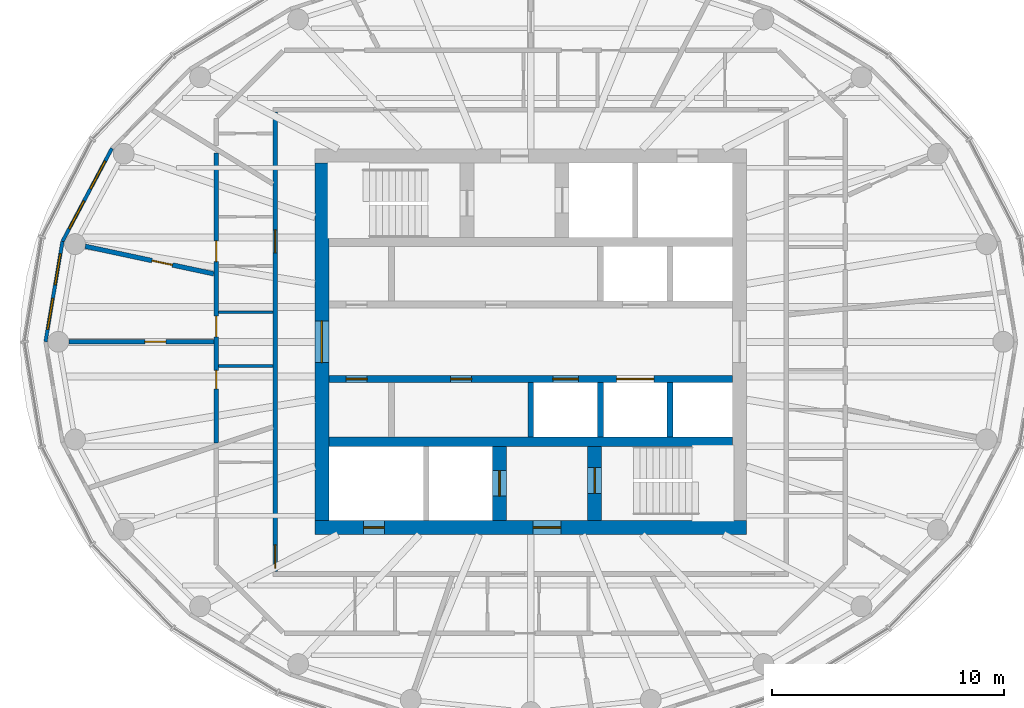
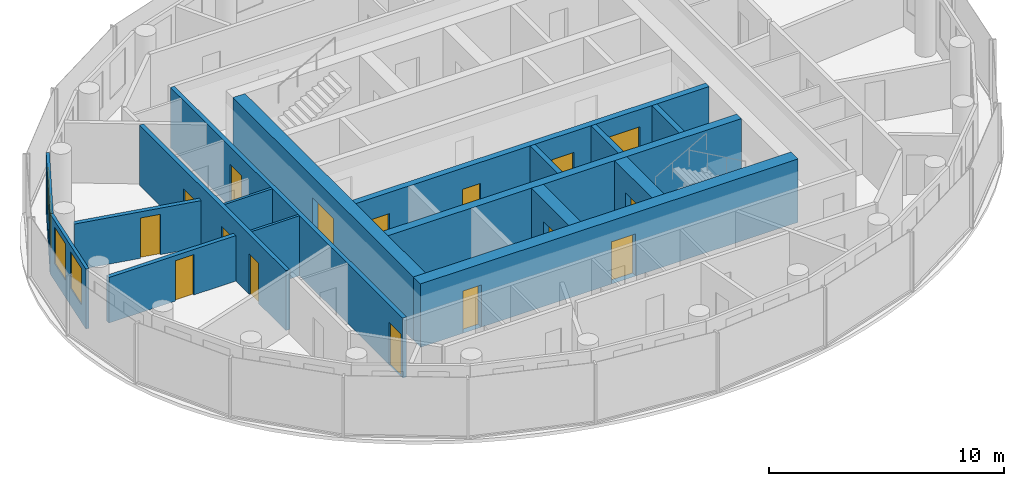
# One storey, part 6 of 11: 17 walls, 16 doors, 4 windows, 20 openings.
"""IFC4 building model written with IfcOpenShell, lengths in metres."""

from ifc_helpers import new_model, si_unit, direction, frame, frame_2d, origin, place, context, subcontext, project, spatial, rectangle, extrude, material, layer, layer_set, type_object, element, fill, save


model = new_model("IFC4")

# Units and contexts
model_context = context("Model", 3, precision=1e-05, world=origin(), true_north=direction((0.0, 1.0)))
body_context = subcontext(model_context, "Body", "Model", "MODEL_VIEW")
ifc_project = project(units=[si_unit("LENGTHUNIT", "METRE"), si_unit("AREAUNIT", "SQUARE_METRE"), si_unit("VOLUMEUNIT", "CUBIC_METRE"), si_unit("PLANEANGLEUNIT", "RADIAN"), si_unit("MASSUNIT", "GRAM", prefix="KILO")], contexts=[model_context])

# Site, building, storey
site_placement = place(None, origin())
site = spatial("IfcSite", under=ifc_project, at=site_placement, CompositionType="ELEMENT")
building_placement = place(site_placement, origin())
building = spatial("IfcBuilding", under=site, at=building_placement, Name="Hankou Lantern Tower", CompositionType="ELEMENT")
storey_placement = place(building_placement, frame((0.0, 0.0, 209.39990234375)))
storey = spatial("IfcBuildingStorey", under=building, at=storey_placement, Name="L56", CompositionType="ELEMENT", Elevation=209.39990234375)

# Wall, openings, doors
ifc_material_1 = material(Name="Concrete C60", Category="concrete")
ifc_layer_1 = layer(ifc_material_1, 0.60009765625)
ifc_layer_set_1 = layer_set([ifc_layer_1], Name="Concrete C60")
wall_type_1 = type_object("IfcWallType", Name="CW3 CORE WALL 600", PredefinedType="SHEAR", material=ifc_layer_set_1)
wall_1_placement = place(storey_placement, frame((9.300048828125, -8.0, 0.0), z_axis=(0.0, 0.0, 1.0), x_axis=(-1.0, 0.0, 0.0)))
wall_1 = element("IfcWall", 1, at=wall_1_placement, inside=storey, type_object=wall_type_1, Name="Core wall south L56", PredefinedType="SHEAR", context=body_context, shape_type="SweptSolid", body=[
    extrude(rectangle(XDim=18.60009765625, YDim=0.60009765625, at=frame_2d((9.300048828125, 0.0))), origin(), (0.0, 0.0, 1.0), 3.300048828125),
])
opening_1_placement = place(wall_1_placement, frame((8.0, 0.0, 0.0)))
opening_1 = element("IfcOpeningElement", 2, at=opening_1_placement, cuts=wall_1, Name="Opening D5", PredefinedType="OPENING", context=body_context, shape_type="SweptSolid", body=[
    extrude(rectangle(XDim=1.199951171875, YDim=2.199951171875, at=frame_2d((0.60009765625, 1.10009765625))), frame((0.0, 0.31005859375, 0.0), z_axis=(0.0, -1.0, 0.0), x_axis=(1.0, 0.0, 0.0)), (0.0, 0.0, 1.0), 0.6201171875),
])
opening_2_placement = place(wall_1_placement, frame((15.60009765625, 0.0, 0.0)))
opening_2 = element("IfcOpeningElement", 3, at=opening_2_placement, cuts=wall_1, Name="Opening D7", PredefinedType="OPENING", context=body_context, shape_type="SweptSolid", body=[
    extrude(rectangle(XDim=0.89990234375, YDim=2.199951171875, at=frame_2d((0.449951171875, 1.10009765625))), frame((0.0, 0.31005859375, 0.0), z_axis=(0.0, -1.0, 0.0), x_axis=(1.0, 0.0, 0.0)), (0.0, 0.0, 1.0), 0.6201171875),
])
ifc_material_2 = material(Name="Steel door leaf", Category="steel")
door_type_1 = type_object("IfcDoorType", Name="D5 STAIR LOBBY DOOR 1200X2200", OperationType="SINGLE_SWING_LEFT", PredefinedType="DOOR", material=ifc_material_2)
door_1_placement = place(opening_1_placement, origin())
door_1 = element("IfcDoor", 4, at=door_1_placement, inside=storey, type_object=door_type_1, Name="Stair B lobby door", OperationType="SINGLE_SWING_LEFT", OverallHeight=2.199951171875, OverallWidth=1.199951171875, PredefinedType="DOOR", context=body_context, shape_type="SweptSolid", body=[
    extrude(rectangle(XDim=1.199951171875, YDim=2.199951171875, at=frame_2d((0.60009765625, 1.10009765625))), frame((0.0, 0.02490234375, 0.0), z_axis=(0.0, -1.0, 0.0), x_axis=(1.0, 0.0, 0.0)), (0.0, 0.0, 1.0), 0.050048828125),
])
fill(opening_1, door_1)
ifc_material_3 = material(Name="Steel door leaf", Category="steel")
door_type_2 = type_object("IfcDoorType", Name="D7 RISER DOOR 900X2200", OperationType="SINGLE_SWING_LEFT", PredefinedType="DOOR", material=ifc_material_3)
door_2_placement = place(opening_2_placement, origin())
door_2 = element("IfcDoor", 5, at=door_2_placement, inside=storey, type_object=door_type_2, Name="Riser S1 door", OperationType="SINGLE_SWING_RIGHT", OverallHeight=2.199951171875, OverallWidth=0.89990234375, PredefinedType="DOOR", context=body_context, shape_type="SweptSolid", body=[
    extrude(rectangle(XDim=0.89990234375, YDim=2.199951171875, at=frame_2d((0.449951171875, 1.10009765625))), frame((0.0, 0.02490234375, 0.0), z_axis=(0.0, -1.0, 0.0), x_axis=(1.0, 0.0, 0.0)), (0.0, 0.0, 1.0), 0.050048828125),
])
fill(opening_2, door_2)

# Wall, opening, door
wall_2_placement = place(storey_placement, frame((-9.0, 7.699951171875, 0.0), z_axis=(0.0, 0.0, 1.0), x_axis=(0.0, -1.0, 0.0)))
wall_2 = element("IfcWall", 6, at=wall_2_placement, inside=storey, type_object=wall_type_1, Name="Core wall west L56", PredefinedType="SHEAR", context=body_context, shape_type="SweptSolid", body=[
    extrude(rectangle(XDim=15.39990234375, YDim=0.60009765625, at=frame_2d((7.699951171875, 0.0))), origin(), (0.0, 0.0, 1.0), 3.300048828125),
])
opening_3_placement = place(wall_2_placement, frame((6.800048828125, 0.0, 0.0)))
opening_3 = element("IfcOpeningElement", 7, at=opening_3_placement, cuts=wall_2, Name="Opening D6", PredefinedType="OPENING", context=body_context, shape_type="SweptSolid", body=[
    extrude(rectangle(XDim=1.800048828125, YDim=2.199951171875, at=frame_2d((0.89990234375, 1.10009765625))), frame((0.0, 0.31005859375, 0.0), z_axis=(0.0, -1.0, 0.0), x_axis=(1.0, 0.0, 0.0)), (0.0, 0.0, 1.0), 0.6201171875),
])
ifc_material_4 = material(Name="Steel door leaf", Category="steel")
door_type_3 = type_object("IfcDoorType", Name="D6 LIFT LOBBY DOOR 1800X2200", OperationType="DOUBLE_DOOR_DOUBLE_SWING", PredefinedType="DOOR", material=ifc_material_4)
door_3_placement = place(opening_3_placement, origin())
door_3 = element("IfcDoor", 8, at=door_3_placement, inside=storey, type_object=door_type_3, Name="Lift lobby west door", OperationType="DOUBLE_DOOR_DOUBLE_SWING", OverallHeight=2.199951171875, OverallWidth=1.800048828125, PredefinedType="DOOR", context=body_context, shape_type="SweptSolid", body=[
    extrude(rectangle(XDim=1.800048828125, YDim=2.199951171875, at=frame_2d((0.89990234375, 1.10009765625))), frame((0.0, 0.02490234375, 0.0), z_axis=(0.0, -1.0, 0.0), x_axis=(1.0, 0.0, 0.0)), (0.0, 0.0, 1.0), 0.050048828125),
])
fill(opening_3, door_3)

# Wall
ifc_material_5 = material(Name="Concrete C60", Category="concrete")
ifc_layer_2 = layer(ifc_material_5, 0.39990234375)
ifc_layer_set_2 = layer_set([ifc_layer_2], Name="Concrete C60")
wall_type_2 = type_object("IfcWallType", Name="CW4 CORE CROSS WALL 400", PredefinedType="SHEAR", material=ifc_layer_set_2)
wall_3_placement = place(storey_placement, frame((-8.699951171875, -4.300048828125, 0.0), z_axis=(0.0, 0.0, 1.0), x_axis=(1.0, 0.0, 0.0)))
element("IfcWall", 9, at=wall_3_placement, inside=storey, type_object=wall_type_2, Name="Core band wall south L56", PredefinedType="SHEAR", context=body_context, shape_type="SweptSolid", body=[
    extrude(rectangle(XDim=17.39990234375, YDim=0.39990234375, at=frame_2d((8.699951171875, 0.0))), origin(), (0.0, 0.0, 1.0), 3.300048828125),
])

# Wall, openings, doors
ifc_material_6 = material(Name="Concrete C60", Category="concrete")
ifc_layer_3 = layer(ifc_material_6, 0.300048828125)
ifc_layer_set_3 = layer_set([ifc_layer_3], Name="Concrete C60")
wall_type_3 = type_object("IfcWallType", Name="CW5 LIFT LOBBY WALL 300", PredefinedType="SHEAR", material=ifc_layer_set_3)
wall_4_placement = place(storey_placement, frame((-8.699951171875, -1.60009765625, 0.0), z_axis=(0.0, 0.0, 1.0), x_axis=(1.0, 0.0, 0.0)))
wall_4 = element("IfcWall", 10, at=wall_4_placement, inside=storey, type_object=wall_type_3, Name="Lift lobby wall south L56", PredefinedType="SHEAR", context=body_context, shape_type="SweptSolid", body=[
    extrude(rectangle(XDim=17.39990234375, YDim=0.300048828125, at=frame_2d((8.699951171875, 0.0))), origin(), (0.0, 0.0, 1.0), 3.300048828125),
])
opening_4_placement = place(wall_4_placement, frame((9.64990234375, 0.0, 0.0)))
opening_4 = element("IfcOpeningElement", 11, at=opening_4_placement, cuts=wall_4, Name="Opening LD1", PredefinedType="OPENING", context=body_context, shape_type="SweptSolid", body=[
    extrude(rectangle(XDim=1.10009765625, YDim=2.199951171875, at=frame_2d((0.550048828125, 1.10009765625))), frame((0.0, 0.159912109375, 0.0), z_axis=(0.0, -1.0, 0.0), x_axis=(1.0, 0.0, 0.0)), (0.0, 0.0, 1.0), 0.320068359375),
])
opening_5_placement = place(wall_4_placement, frame((12.39990234375, 0.0, 0.0)))
opening_5 = element("IfcOpeningElement", 12, at=opening_5_placement, cuts=wall_4, Name="Opening LD4", PredefinedType="OPENING", context=body_context, shape_type="SweptSolid", body=[
    extrude(rectangle(XDim=1.60009765625, YDim=2.39990234375, at=frame_2d((0.800048828125, 1.199951171875))), frame((0.0, 0.159912109375, 0.0), z_axis=(0.0, -1.0, 0.0), x_axis=(1.0, 0.0, 0.0)), (0.0, 0.0, 1.0), 0.320068359375),
])
opening_6_placement = place(wall_4_placement, frame((0.75, 0.0, 0.0)))
opening_6 = element("IfcOpeningElement", 13, at=opening_6_placement, cuts=wall_4, Name="Opening D30", PredefinedType="OPENING", context=body_context, shape_type="SweptSolid", body=[
    extrude(rectangle(XDim=0.89990234375, YDim=2.199951171875, at=frame_2d((0.449951171875, 1.10009765625))), frame((0.0, 0.159912109375, 0.0), z_axis=(0.0, -1.0, 0.0), x_axis=(1.0, 0.0, 0.0)), (0.0, 0.0, 1.0), 0.320068359375),
])
opening_7_placement = place(wall_4_placement, frame((5.25, 0.0, 0.0)))
opening_7 = element("IfcOpeningElement", 14, at=opening_7_placement, cuts=wall_4, Name="Opening D30", PredefinedType="OPENING", context=body_context, shape_type="SweptSolid", body=[
    extrude(rectangle(XDim=0.89990234375, YDim=2.199951171875, at=frame_2d((0.449951171875, 1.10009765625))), frame((0.0, 0.159912109375, 0.0), z_axis=(0.0, -1.0, 0.0), x_axis=(1.0, 0.0, 0.0)), (0.0, 0.0, 1.0), 0.320068359375),
])
ifc_material_7 = material(Name="Steel door leaf", Category="steel")
door_type_4 = type_object("IfcDoorType", Name="D30 CORE ROOM DOOR 900X2200", OperationType="SINGLE_SWING_LEFT", PredefinedType="DOOR", material=ifc_material_7)
door_4_placement = place(opening_6_placement, origin())
door_4 = element("IfcDoor", 15, at=door_4_placement, inside=storey, type_object=door_type_4, Name="Minibar store door", OperationType="SINGLE_SWING_LEFT", OverallHeight=2.199951171875, OverallWidth=0.89990234375, PredefinedType="DOOR", context=body_context, shape_type="SweptSolid", body=[
    extrude(rectangle(XDim=0.89990234375, YDim=2.199951171875, at=frame_2d((0.449951171875, 1.10009765625))), frame((0.0, 0.02490234375, 0.0), z_axis=(0.0, -1.0, 0.0), x_axis=(1.0, 0.0, 0.0)), (0.0, 0.0, 1.0), 0.050048828125),
])
fill(opening_6, door_4)
door_5_placement = place(opening_7_placement, origin())
door_5 = element("IfcDoor", 16, at=door_5_placement, inside=storey, type_object=door_type_4, Name="Guest pantry and ice room door", OperationType="SINGLE_SWING_LEFT", OverallHeight=2.199951171875, OverallWidth=0.89990234375, PredefinedType="DOOR", context=body_context, shape_type="SweptSolid", body=[
    extrude(rectangle(XDim=0.89990234375, YDim=2.199951171875, at=frame_2d((0.449951171875, 1.10009765625))), frame((0.0, 0.02490234375, 0.0), z_axis=(0.0, -1.0, 0.0), x_axis=(1.0, 0.0, 0.0)), (0.0, 0.0, 1.0), 0.050048828125),
])
fill(opening_7, door_5)
ifc_material_8 = material(Name="Steel door leaf", Category="steel")
door_type_5 = type_object("IfcDoorType", Name="LD1 LIFT LANDING DOOR 1100X2200", OperationType="DOUBLE_DOOR_SLIDING", PredefinedType="DOOR", material=ifc_material_8)
door_6_placement = place(opening_4_placement, origin())
door_6 = element("IfcDoor", 17, at=door_6_placement, inside=storey, type_object=door_type_5, Name="Lift T2 landing door", OperationType="DOUBLE_DOOR_SLIDING", OverallHeight=2.199951171875, OverallWidth=1.10009765625, PredefinedType="DOOR", context=body_context, shape_type="SweptSolid", body=[
    extrude(rectangle(XDim=1.10009765625, YDim=2.199951171875, at=frame_2d((0.550048828125, 1.10009765625))), frame((0.0, 0.02490234375, 0.0), z_axis=(0.0, -1.0, 0.0), x_axis=(1.0, 0.0, 0.0)), (0.0, 0.0, 1.0), 0.050048828125),
])
fill(opening_4, door_6)
ifc_material_9 = material(Name="Steel door leaf", Category="steel")
door_type_6 = type_object("IfcDoorType", Name="LD4 SERVICE LIFT LANDING DOOR 1600X2400", OperationType="DOUBLE_DOOR_SLIDING", PredefinedType="DOOR", material=ifc_material_9)
door_7_placement = place(opening_5_placement, origin())
door_7 = element("IfcDoor", 18, at=door_7_placement, inside=storey, type_object=door_type_6, Name="Lift SV1 landing door", OperationType="DOUBLE_DOOR_SLIDING", OverallHeight=2.39990234375, OverallWidth=1.60009765625, PredefinedType="DOOR", context=body_context, shape_type="SweptSolid", body=[
    extrude(rectangle(XDim=1.60009765625, YDim=2.39990234375, at=frame_2d((0.800048828125, 1.199951171875))), frame((0.0, 0.02490234375, 0.0), z_axis=(0.0, -1.0, 0.0), x_axis=(1.0, 0.0, 0.0)), (0.0, 0.0, 1.0), 0.050048828125),
])
fill(opening_5, door_7)

# Wall, opening, door
ifc_material_10 = material(Name="Concrete C60", Category="concrete")
ifc_layer_4 = layer(ifc_material_10, 0.60009765625)
ifc_layer_set_4 = layer_set([ifc_layer_4], Name="Concrete C60")
wall_type_4 = type_object("IfcWallType", Name="CW6 STAIR AND SHAFT WALL 600", PredefinedType="SHEAR", material=ifc_layer_set_4)
wall_5_placement = place(storey_placement, frame((2.75, -7.699951171875, 0.0), z_axis=(0.0, 0.0, 1.0), x_axis=(0.0, 1.0, 0.0)))
wall_5 = element("IfcWall", 19, at=wall_5_placement, inside=storey, type_object=wall_type_4, Name="Stair wall L56", PredefinedType="SHEAR", context=body_context, shape_type="SweptSolid", body=[
    extrude(rectangle(XDim=3.199951171875, YDim=0.60009765625, at=frame_2d((1.60009765625, 0.0))), origin(), (0.0, 0.0, 1.0), 3.300048828125),
])
opening_8_placement = place(wall_5_placement, frame((1.175048828125, 0.0, 0.0)))
opening_8 = element("IfcOpeningElement", 20, at=opening_8_placement, cuts=wall_5, Name="Opening D4", PredefinedType="OPENING", context=body_context, shape_type="SweptSolid", body=[
    extrude(rectangle(XDim=1.10009765625, YDim=2.199951171875, at=frame_2d((0.550048828125, 1.10009765625))), frame((0.0, 0.31005859375, 0.0), z_axis=(0.0, -1.0, 0.0), x_axis=(1.0, 0.0, 0.0)), (0.0, 0.0, 1.0), 0.6201171875),
])
ifc_material_11 = material(Name="Steel door leaf", Category="steel")
door_type_7 = type_object("IfcDoorType", Name="D4 STAIR DOOR 1100X2200", OperationType="SINGLE_SWING_LEFT", PredefinedType="DOOR", material=ifc_material_11)
door_8_placement = place(opening_8_placement, origin())
door_8 = element("IfcDoor", 21, at=door_8_placement, inside=storey, type_object=door_type_7, Name="Stair B door", OperationType="SINGLE_SWING_RIGHT", OverallHeight=2.199951171875, OverallWidth=1.10009765625, PredefinedType="DOOR", context=body_context, shape_type="SweptSolid", body=[
    extrude(rectangle(XDim=1.10009765625, YDim=2.199951171875, at=frame_2d((0.550048828125, 1.10009765625))), frame((0.0, 0.02490234375, 0.0), z_axis=(0.0, -1.0, 0.0), x_axis=(1.0, 0.0, 0.0)), (0.0, 0.0, 1.0), 0.050048828125),
])
fill(opening_8, door_8)

wall_6_placement = place(storey_placement, frame((-1.35009765625, -7.699951171875, 0.0), z_axis=(0.0, 0.0, 1.0), x_axis=(0.0, 1.0, 0.0)))
wall_6 = element("IfcWall", 22, at=wall_6_placement, inside=storey, type_object=wall_type_4, Name="Firefighting lift shaft wall L56", PredefinedType="SHEAR", context=body_context, shape_type="SweptSolid", body=[
    extrude(rectangle(XDim=3.199951171875, YDim=0.60009765625, at=frame_2d((1.60009765625, 0.0))), origin(), (0.0, 0.0, 1.0), 3.300048828125),
])
opening_9_placement = place(wall_6_placement, frame((1.050048828125, 0.0, 0.0)))
opening_9 = element("IfcOpeningElement", 23, at=opening_9_placement, cuts=wall_6, Name="Opening LD2", PredefinedType="OPENING", context=body_context, shape_type="SweptSolid", body=[
    extrude(rectangle(XDim=1.10009765625, YDim=2.199951171875, at=frame_2d((0.550048828125, 1.10009765625))), frame((0.0, 0.31005859375, 0.0), z_axis=(0.0, -1.0, 0.0), x_axis=(1.0, 0.0, 0.0)), (0.0, 0.0, 1.0), 0.6201171875),
])
ifc_material_12 = material(Name="Steel door leaf", Category="steel")
door_type_8 = type_object("IfcDoorType", Name="LD2 FIREFIGHTING LIFT LANDING DOOR 1100X2200", OperationType="DOUBLE_DOOR_SLIDING", PredefinedType="DOOR", material=ifc_material_12)
door_9_placement = place(opening_9_placement, origin())
door_9 = element("IfcDoor", 24, at=door_9_placement, inside=storey, type_object=door_type_8, Name="Firefighting lift FL2 landing door", OperationType="DOUBLE_DOOR_SLIDING", OverallHeight=2.199951171875, OverallWidth=1.10009765625, PredefinedType="DOOR", context=body_context, shape_type="SweptSolid", body=[
    extrude(rectangle(XDim=1.10009765625, YDim=2.199951171875, at=frame_2d((0.550048828125, 1.10009765625))), frame((0.0, 0.02490234375, 0.0), z_axis=(0.0, -1.0, 0.0), x_axis=(1.0, 0.0, 0.0)), (0.0, 0.0, 1.0), 0.050048828125),
])
fill(opening_9, door_9)

# Wall, openings, windows
ifc_material_13 = material(Name="Aluminium spandrel panel on steel studs", Category="steel")
ifc_layer_5 = layer(ifc_material_13, 0.14990234375)
ifc_layer_set_5 = layer_set([ifc_layer_5], Name="Aluminium spandrel panel on steel studs")
wall_type_5 = type_object("IfcWallType", Name="EW1 INNER SKIN WALL 150", PredefinedType="ELEMENTEDWALL", material=ifc_layer_set_5)
wall_7_placement = place(storey_placement, frame((-18.03955078125, 8.33203125, 0.0), z_axis=(0.0, 0.0, 1.0), x_axis=(-0.469256152955, -0.883062094597, 0.0)))
wall_7 = element("IfcWall", 25, at=wall_7_placement, inside=storey, type_object=wall_type_5, Name="Inner skin R11-R12 L56", PredefinedType="ELEMENTEDWALL", context=body_context, shape_type="SweptSolid", body=[
    extrude(rectangle(XDim=4.539306640625, YDim=0.14990234375, at=frame_2d((2.26953125, 0.0))), origin(), (0.0, 0.0, 1.0), 3.1201171875),
])
opening_10_placement = place(wall_7_placement, frame((0.61962890625, 0.0, 0.89990234375)))
opening_10 = element("IfcOpeningElement", 26, at=opening_10_placement, cuts=wall_7, Name="Opening W4", PredefinedType="OPENING", context=body_context, shape_type="SweptSolid", body=[
    extrude(rectangle(XDim=1.35009765625, YDim=1.89990234375, at=frame_2d((0.675048828125, 0.949951171875))), frame((0.0, 0.0849609375, 0.0), z_axis=(0.0, -1.0, 0.0), x_axis=(1.0, 0.0, 0.0)), (0.0, 0.0, 1.0), 0.169921875),
])
opening_11_placement = place(wall_7_placement, frame((2.569580078125, 0.0, 0.89990234375)))
opening_11 = element("IfcOpeningElement", 27, at=opening_11_placement, cuts=wall_7, Name="Opening W4", PredefinedType="OPENING", context=body_context, shape_type="SweptSolid", body=[
    extrude(rectangle(XDim=1.35009765625, YDim=1.89990234375, at=frame_2d((0.675048828125, 0.949951171875))), frame((0.0, 0.0849609375, 0.0), z_axis=(0.0, -1.0, 0.0), x_axis=(1.0, 0.0, 0.0)), (0.0, 0.0, 1.0), 0.169921875),
])
ifc_material_14 = material(Name="Aluminium framed double glazed window", Category="aluminium")
window_type = type_object("IfcWindowType", Name="W4 SUITE WINDOW 1350X1900", PartitioningType="DOUBLE_PANEL_VERTICAL", PredefinedType="WINDOW", material=ifc_material_14)
window_1_placement = place(opening_10_placement, origin())
window_1 = element("IfcWindow", 28, at=window_1_placement, inside=storey, type_object=window_type, Name="Window R11.1 L56", OverallHeight=1.89990234375, OverallWidth=1.35009765625, PartitioningType="SINGLE_PANEL", PredefinedType="WINDOW", context=body_context, shape_type="SweptSolid", body=[
    extrude(rectangle(XDim=1.35009765625, YDim=1.89990234375, at=frame_2d((0.675048828125, 0.949951171875))), frame((0.0, 0.030029296875, 0.0), z_axis=(0.0, -1.0, 0.0), x_axis=(1.0, 0.0, 0.0)), (0.0, 0.0, 1.0), 0.06005859375),
])
fill(opening_10, window_1)
window_2_placement = place(opening_11_placement, origin())
window_2 = element("IfcWindow", 29, at=window_2_placement, inside=storey, type_object=window_type, Name="Window R11.2 L56", OverallHeight=1.89990234375, OverallWidth=1.35009765625, PartitioningType="SINGLE_PANEL", PredefinedType="WINDOW", context=body_context, shape_type="SweptSolid", body=[
    extrude(rectangle(XDim=1.35009765625, YDim=1.89990234375, at=frame_2d((0.675048828125, 0.949951171875))), frame((0.0, 0.030029296875, 0.0), z_axis=(0.0, -1.0, 0.0), x_axis=(1.0, 0.0, 0.0)), (0.0, 0.0, 1.0), 0.06005859375),
])
fill(opening_11, window_2)

wall_8_placement = place(storey_placement, frame((-20.169677734375, 4.323486328125, 0.0), z_axis=(0.0, 0.0, 1.0), x_axis=(-0.166538513568, -0.986034950445, 0.0)))
wall_8 = element("IfcWall", 30, at=wall_8_placement, inside=storey, type_object=wall_type_5, Name="Inner skin R12-R13 L56", PredefinedType="ELEMENTEDWALL", context=body_context, shape_type="SweptSolid", body=[
    extrude(rectangle(XDim=4.384765625, YDim=0.14990234375, at=frame_2d((2.1923828125, 0.0))), origin(), (0.0, 0.0, 1.0), 3.1201171875),
])
opening_12_placement = place(wall_8_placement, frame((0.54248046875, 0.0, 0.89990234375)))
opening_12 = element("IfcOpeningElement", 31, at=opening_12_placement, cuts=wall_8, Name="Opening W4", PredefinedType="OPENING", context=body_context, shape_type="SweptSolid", body=[
    extrude(rectangle(XDim=1.35009765625, YDim=1.89990234375, at=frame_2d((0.675048828125, 0.949951171875))), frame((0.0, 0.0849609375, 0.0), z_axis=(0.0, -1.0, 0.0), x_axis=(1.0, 0.0, 0.0)), (0.0, 0.0, 1.0), 0.169921875),
])
opening_13_placement = place(wall_8_placement, frame((2.492431640625, 0.0, 0.89990234375)))
opening_13 = element("IfcOpeningElement", 32, at=opening_13_placement, cuts=wall_8, Name="Opening W4", PredefinedType="OPENING", context=body_context, shape_type="SweptSolid", body=[
    extrude(rectangle(XDim=1.35009765625, YDim=1.89990234375, at=frame_2d((0.675048828125, 0.949951171875))), frame((0.0, 0.0849609375, 0.0), z_axis=(0.0, -1.0, 0.0), x_axis=(1.0, 0.0, 0.0)), (0.0, 0.0, 1.0), 0.169921875),
])
window_3_placement = place(opening_12_placement, origin())
window_3 = element("IfcWindow", 33, at=window_3_placement, inside=storey, type_object=window_type, Name="Window R12.1 L56", OverallHeight=1.89990234375, OverallWidth=1.35009765625, PartitioningType="SINGLE_PANEL", PredefinedType="WINDOW", context=body_context, shape_type="SweptSolid", body=[
    extrude(rectangle(XDim=1.35009765625, YDim=1.89990234375, at=frame_2d((0.675048828125, 0.949951171875))), frame((0.0, 0.030029296875, 0.0), z_axis=(0.0, -1.0, 0.0), x_axis=(1.0, 0.0, 0.0)), (0.0, 0.0, 1.0), 0.06005859375),
])
fill(opening_12, window_3)
window_4_placement = place(opening_13_placement, origin())
window_4 = element("IfcWindow", 34, at=window_4_placement, inside=storey, type_object=window_type, Name="Window R12.2 L56", OverallHeight=1.89990234375, OverallWidth=1.35009765625, PartitioningType="SINGLE_PANEL", PredefinedType="WINDOW", context=body_context, shape_type="SweptSolid", body=[
    extrude(rectangle(XDim=1.35009765625, YDim=1.89990234375, at=frame_2d((0.675048828125, 0.949951171875))), frame((0.0, 0.030029296875, 0.0), z_axis=(0.0, -1.0, 0.0), x_axis=(1.0, 0.0, 0.0)), (0.0, 0.0, 1.0), 0.06005859375),
])
fill(opening_13, window_4)

# Wall, openings, doors
ifc_material_15 = material(Name="Masonry lightweight concrete block", Category="masonry")
ifc_layer_6 = layer(ifc_material_15, 0.199951171875)
ifc_layer_set_6 = layer_set([ifc_layer_6], Name="Masonry lightweight concrete block")
wall_type_6 = type_object("IfcWallType", Name="IW2 CORRIDOR WALL 200", PredefinedType="PARTITIONING", material=ifc_layer_set_6)
wall_9_placement = place(storey_placement, frame((-11.0, 9.89990234375, 0.0), z_axis=(0.0, 0.0, 1.0), x_axis=(0.0, -1.0, 0.0)))
wall_9 = element("IfcWall", 35, at=wall_9_placement, inside=storey, type_object=wall_type_6, Name="Corridor wall west", PredefinedType="PARTITIONING", context=body_context, shape_type="SweptSolid", body=[
    extrude(rectangle(XDim=19.7998046875, YDim=0.199951171875, at=frame_2d((9.89990234375, 0.0))), origin(), (0.0, 0.0, 1.0), 3.1201171875),
])
opening_14_placement = place(wall_9_placement, frame((5.07470703125, 0.0, 0.0)))
opening_14 = element("IfcOpeningElement", 36, at=opening_14_placement, cuts=wall_9, Name="Opening D2", PredefinedType="OPENING", context=body_context, shape_type="SweptSolid", body=[
    extrude(rectangle(XDim=1.0, YDim=2.199951171875, at=frame_2d((0.5, 1.10009765625))), frame((0.0, 0.10986328125, 0.0), z_axis=(0.0, -1.0, 0.0), x_axis=(1.0, 0.0, 0.0)), (0.0, 0.0, 1.0), 0.219970703125),
])
opening_15_placement = place(wall_9_placement, frame((18.645263671875, 0.0, 0.0)))
opening_15 = element("IfcOpeningElement", 37, at=opening_15_placement, cuts=wall_9, Name="Opening D2", PredefinedType="OPENING", context=body_context, shape_type="SweptSolid", body=[
    extrude(rectangle(XDim=1.0, YDim=2.199951171875, at=frame_2d((0.5, 1.10009765625))), frame((0.0, 0.10986328125, 0.0), z_axis=(0.0, -1.0, 0.0), x_axis=(1.0, 0.0, 0.0)), (0.0, 0.0, 1.0), 0.219970703125),
])
ifc_material_16 = material(Name="Steel door leaf", Category="steel")
door_type_9 = type_object("IfcDoorType", Name="D2 SUITE DOOR 1000X2200", OperationType="SINGLE_SWING_LEFT", PredefinedType="DOOR", material=ifc_material_16)
door_10_placement = place(opening_14_placement, origin())
door_10 = element("IfcDoor", 38, at=door_10_placement, inside=storey, type_object=door_type_9, Name="Suite door 5603", OperationType="SINGLE_SWING_LEFT", OverallHeight=2.199951171875, OverallWidth=1.0, PredefinedType="DOOR", context=body_context, shape_type="SweptSolid", body=[
    extrude(rectangle(XDim=1.0, YDim=2.199951171875, at=frame_2d((0.5, 1.10009765625))), frame((0.0, 0.02490234375, 0.0), z_axis=(0.0, -1.0, 0.0), x_axis=(1.0, 0.0, 0.0)), (0.0, 0.0, 1.0), 0.050048828125),
])
fill(opening_14, door_10)
door_11_placement = place(opening_15_placement, origin())
door_11 = element("IfcDoor", 39, at=door_11_placement, inside=storey, type_object=door_type_9, Name="Suite door 5604", OperationType="SINGLE_SWING_RIGHT", OverallHeight=2.199951171875, OverallWidth=1.0, PredefinedType="DOOR", context=body_context, shape_type="SweptSolid", body=[
    extrude(rectangle(XDim=1.0, YDim=2.199951171875, at=frame_2d((0.5, 1.10009765625))), frame((0.0, 0.02490234375, 0.0), z_axis=(0.0, -1.0, 0.0), x_axis=(1.0, 0.0, 0.0)), (0.0, 0.0, 1.0), 0.050048828125),
])
fill(opening_15, door_11)

# Walls
ifc_material_17 = material(Name="Masonry lightweight concrete block", Category="masonry")
ifc_layer_7 = layer(ifc_material_17, 0.1201171875)
ifc_layer_set_7 = layer_set([ifc_layer_7], Name="Masonry lightweight concrete block")
wall_type_7 = type_object("IfcWallType", Name="IW3 BATHROOM WALL 120", PredefinedType="PARTITIONING", material=ifc_layer_set_7)
for number, where, z_axis, x_axis, name in (
    (40, (-11.10009765625, 1.268798828125, 0.0), (0.0, 0.0, 1.0), (-1.0, 0.0, 0.0), "Box wall 5603 3"),
    (41, (-11.10009765625, -1.048828125, 0.0), (0.0, 0.0, 1.0), (-1.0, 0.0, 0.0), "Box wall 5603 4"),
):
    element("IfcWall", number, at=place(storey_placement, frame(where, z_axis=z_axis, x_axis=x_axis)), inside=storey, type_object=wall_type_7, Name=name, PredefinedType="PARTITIONING", context=body_context, shape_type="SweptSolid", body=[
        extrude(rectangle(XDim=2.349853515625, YDim=0.1201171875, at=frame_2d((1.1748046875, 0.0))), origin(), (0.0, 0.0, 1.0), 3.1201171875),
    ])

# Wall, openings, doors
ifc_material_18 = material(Name="Masonry lightweight concrete block", Category="masonry")
ifc_layer_8 = layer(ifc_material_18, 0.199951171875)
ifc_layer_set_8 = layer_set([ifc_layer_8], Name="Masonry lightweight concrete block")
wall_type_8 = type_object("IfcWallType", Name="IW6 SUITE PARTITION 200", PredefinedType="PARTITIONING", material=ifc_layer_set_8)
wall_10_placement = place(storey_placement, frame((-13.550048828125, 8.13916015625, 0.0), z_axis=(0.0, 0.0, 1.0), x_axis=(0.0, -1.0, 0.0)))
wall_10 = element("IfcWall", 42, at=wall_10_placement, inside=storey, type_object=wall_type_8, Name="Suite foyer wall 5603", PredefinedType="PARTITIONING", context=body_context, shape_type="SweptSolid", body=[
    extrude(rectangle(XDim=12.496337890625, YDim=0.199951171875, at=frame_2d((6.248046875, 0.0))), origin(), (0.0, 0.0, 1.0), 3.1201171875),
])
opening_16_placement = place(wall_10_placement, frame((7.030517578125, 0.0, 0.0)))
opening_16 = element("IfcOpeningElement", 43, at=opening_16_placement, cuts=wall_10, Name="Opening D27", PredefinedType="OPENING", context=body_context, shape_type="SweptSolid", body=[
    extrude(rectangle(XDim=0.89990234375, YDim=2.10009765625, at=frame_2d((0.449951171875, 1.050048828125))), frame((0.0, 0.10986328125, 0.0), z_axis=(0.0, -1.0, 0.0), x_axis=(1.0, 0.0, 0.0)), (0.0, 0.0, 1.0), 0.219970703125),
])
opening_17_placement = place(wall_10_placement, frame((9.372802734375, 0.0, 0.0)))
opening_17 = element("IfcOpeningElement", 44, at=opening_17_placement, cuts=wall_10, Name="Opening D3", PredefinedType="OPENING", context=body_context, shape_type="SweptSolid", body=[
    extrude(rectangle(XDim=0.800048828125, YDim=2.10009765625, at=frame_2d((0.39990234375, 1.050048828125))), frame((0.0, 0.10986328125, 0.0), z_axis=(0.0, -1.0, 0.0), x_axis=(1.0, 0.0, 0.0)), (0.0, 0.0, 1.0), 0.219970703125),
])
opening_18_placement = place(wall_10_placement, frame((3.788818359375, 0.0, 0.0)))
opening_18 = element("IfcOpeningElement", 45, at=opening_18_placement, cuts=wall_10, Name="Opening D27", PredefinedType="OPENING", context=body_context, shape_type="SweptSolid", body=[
    extrude(rectangle(XDim=0.89990234375, YDim=2.10009765625, at=frame_2d((0.449951171875, 1.050048828125))), frame((0.0, 0.10986328125, 0.0), z_axis=(0.0, -1.0, 0.0), x_axis=(1.0, 0.0, 0.0)), (0.0, 0.0, 1.0), 0.219970703125),
])
ifc_material_19 = material(Name="Timber door leaf", Category="wood")
door_type_10 = type_object("IfcDoorType", Name="D27 INTERNAL DOOR 900X2100", OperationType="SINGLE_SWING_LEFT", PredefinedType="DOOR", material=ifc_material_19)
door_12_placement = place(opening_16_placement, origin())
door_12 = element("IfcDoor", 46, at=door_12_placement, inside=storey, type_object=door_type_10, Name="Corner suite 5603 pantry door", OperationType="SINGLE_SWING_LEFT", OverallHeight=2.10009765625, OverallWidth=0.89990234375, PredefinedType="DOOR", context=body_context, shape_type="SweptSolid", body=[
    extrude(rectangle(XDim=0.89990234375, YDim=2.10009765625, at=frame_2d((0.449951171875, 1.050048828125))), frame((0.0, 0.02490234375, 0.0), z_axis=(0.0, -1.0, 0.0), x_axis=(1.0, 0.0, 0.0)), (0.0, 0.0, 1.0), 0.050048828125),
])
fill(opening_16, door_12)
door_13_placement = place(opening_18_placement, origin())
door_13 = element("IfcDoor", 47, at=door_13_placement, inside=storey, type_object=door_type_10, Name="Corner suite 5603 living room door", OperationType="SINGLE_SWING_RIGHT", OverallHeight=2.10009765625, OverallWidth=0.89990234375, PredefinedType="DOOR", context=body_context, shape_type="SweptSolid", body=[
    extrude(rectangle(XDim=0.89990234375, YDim=2.10009765625, at=frame_2d((0.449951171875, 1.050048828125))), frame((0.0, 0.02490234375, 0.0), z_axis=(0.0, -1.0, 0.0), x_axis=(1.0, 0.0, 0.0)), (0.0, 0.0, 1.0), 0.050048828125),
])
fill(opening_18, door_13)
ifc_material_20 = material(Name="Timber door leaf", Category="wood")
door_type_11 = type_object("IfcDoorType", Name="D3 BATHROOM DOOR 800X2100", OperationType="SINGLE_SWING_LEFT", PredefinedType="DOOR", material=ifc_material_20)
door_14_placement = place(opening_17_placement, origin())
door_14 = element("IfcDoor", 48, at=door_14_placement, inside=storey, type_object=door_type_11, Name="Corner suite 5603 bathroom door", OperationType="SINGLE_SWING_LEFT", OverallHeight=2.10009765625, OverallWidth=0.800048828125, PredefinedType="DOOR", context=body_context, shape_type="SweptSolid", body=[
    extrude(rectangle(XDim=0.800048828125, YDim=2.10009765625, at=frame_2d((0.39990234375, 1.050048828125))), frame((0.0, 0.02490234375, 0.0), z_axis=(0.0, -1.0, 0.0), x_axis=(1.0, 0.0, 0.0)), (0.0, 0.0, 1.0), 0.050048828125),
])
fill(opening_17, door_14)

# Wall, opening, door
wall_11_placement = place(storey_placement, frame((-13.65478515625, 2.927001953125, 0.0), z_axis=(0.0, 0.0, 1.0), x_axis=(-0.977790419294, 0.209585056568, 0.0)))
wall_11 = element("IfcWall", 49, at=wall_11_placement, inside=storey, type_object=wall_type_8, Name="Suite partition R12", PredefinedType="PARTITIONING", context=body_context, shape_type="SweptSolid", body=[
    extrude(rectangle(XDim=5.66015625, YDim=0.199951171875, at=frame_2d((2.830078125, 0.0))), origin(), (0.0, 0.0, 1.0), 2.420166015625),
])
opening_19_placement = place(wall_11_placement, frame((1.820068359375, 0.0, 0.0)))
opening_19 = element("IfcOpeningElement", 50, at=opening_19_placement, cuts=wall_11, Name="Opening D27", PredefinedType="OPENING", context=body_context, shape_type="SweptSolid", body=[
    extrude(rectangle(XDim=0.89990234375, YDim=2.10009765625, at=frame_2d((0.449951171875, 1.050048828125))), frame((0.0, 0.10986328125, 0.0), z_axis=(0.0, -1.0, 0.0), x_axis=(1.0, 0.0, 0.0)), (0.0, 0.0, 1.0), 0.219970703125),
])
door_15_placement = place(opening_19_placement, origin())
door_15 = element("IfcDoor", 51, at=door_15_placement, inside=storey, type_object=door_type_10, Name="Corner suite 5603 dining room door", OperationType="SINGLE_SWING_LEFT", OverallHeight=2.10009765625, OverallWidth=0.89990234375, PredefinedType="DOOR", context=body_context, shape_type="SweptSolid", body=[
    extrude(rectangle(XDim=0.89990234375, YDim=2.10009765625, at=frame_2d((0.449951171875, 1.050048828125))), frame((0.0, 0.02490234375, 0.0), z_axis=(0.0, -1.0, 0.0), x_axis=(1.0, 0.0, 0.0)), (0.0, 0.0, 1.0), 0.050048828125),
])
fill(opening_19, door_15)

wall_12_placement = place(storey_placement, frame((-13.64990234375, 0.0, 0.0), z_axis=(0.0, 0.0, 1.0), x_axis=(-1.0, 0.0, 0.0)))
wall_12 = element("IfcWall", 52, at=wall_12_placement, inside=storey, type_object=wall_type_8, Name="Suite partition R13", PredefinedType="PARTITIONING", context=body_context, shape_type="SweptSolid", body=[
    extrude(rectangle(XDim=6.25, YDim=0.199951171875, at=frame_2d((3.125, 0.0))), origin(), (0.0, 0.0, 1.0), 2.3701171875),
])
opening_20_placement = place(wall_12_placement, frame((2.070068359375, 0.0, 0.0)))
opening_20 = element("IfcOpeningElement", 53, at=opening_20_placement, cuts=wall_12, Name="Opening D27", PredefinedType="OPENING", context=body_context, shape_type="SweptSolid", body=[
    extrude(rectangle(XDim=0.89990234375, YDim=2.10009765625, at=frame_2d((0.449951171875, 1.050048828125))), frame((0.0, 0.10986328125, 0.0), z_axis=(0.0, -1.0, 0.0), x_axis=(1.0, 0.0, 0.0)), (0.0, 0.0, 1.0), 0.219970703125),
])
door_16_placement = place(opening_20_placement, origin())
door_16 = element("IfcDoor", 54, at=door_16_placement, inside=storey, type_object=door_type_10, Name="Corner suite 5603 bedroom door", OperationType="SINGLE_SWING_LEFT", OverallHeight=2.10009765625, OverallWidth=0.89990234375, PredefinedType="DOOR", context=body_context, shape_type="SweptSolid", body=[
    extrude(rectangle(XDim=0.89990234375, YDim=2.10009765625, at=frame_2d((0.449951171875, 1.050048828125))), frame((0.0, 0.02490234375, 0.0), z_axis=(0.0, -1.0, 0.0), x_axis=(1.0, 0.0, 0.0)), (0.0, 0.0, 1.0), 0.050048828125),
])
fill(opening_20, door_16)

# Walls
ifc_material_21 = material(Name="Masonry autoclaved aerated concrete block", Category="masonry")
ifc_layer_9 = layer(ifc_material_21, 0.25)
ifc_layer_set_9 = layer_set([ifc_layer_9], Name="Masonry autoclaved aerated concrete block")
wall_type_9 = type_object("IfcWallType", Name="SW1 SHAFT BLOCK WALL 250", PredefinedType="PARTITIONING", material=ifc_layer_set_9)
for number, where, z_axis, x_axis, name in (
    (55, (0.0, -4.10009765625, 0.0), (0.0, 0.0, 1.0), (0.0, 1.0, 0.0), "Lift shaft wall L56"),
    (56, (3.0, -4.10009765625, 0.0), (0.0, 0.0, 1.0), (0.0, 1.0, 0.0), "Lift shaft wall L56"),
    (57, (6.0, -4.10009765625, 0.0), (0.0, 0.0, 1.0), (0.0, 1.0, 0.0), "Lift shaft wall L56"),
):
    element("IfcWall", number, at=place(storey_placement, frame(where, z_axis=z_axis, x_axis=x_axis)), inside=storey, type_object=wall_type_9, Name=name, PredefinedType="PARTITIONING", context=body_context, shape_type="SweptSolid", body=[
        extrude(rectangle(XDim=2.35009765625, YDim=0.25, at=frame_2d((1.175048828125, 0.0))), origin(), (0.0, 0.0, 1.0), 3.300048828125),
    ])

save(model, "model.ifc")
